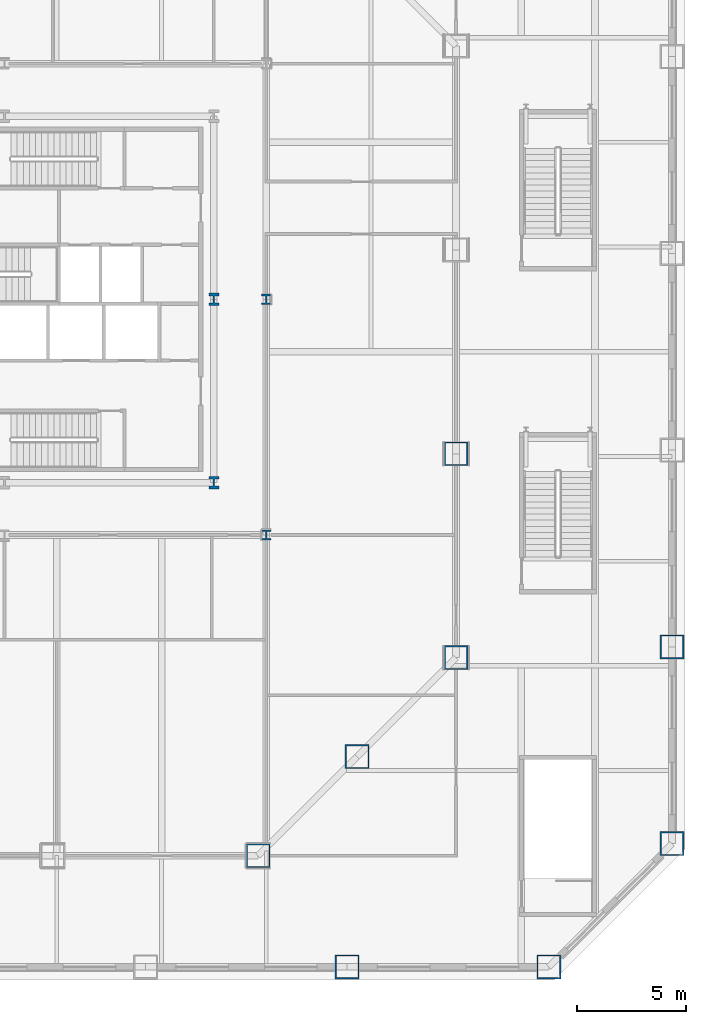
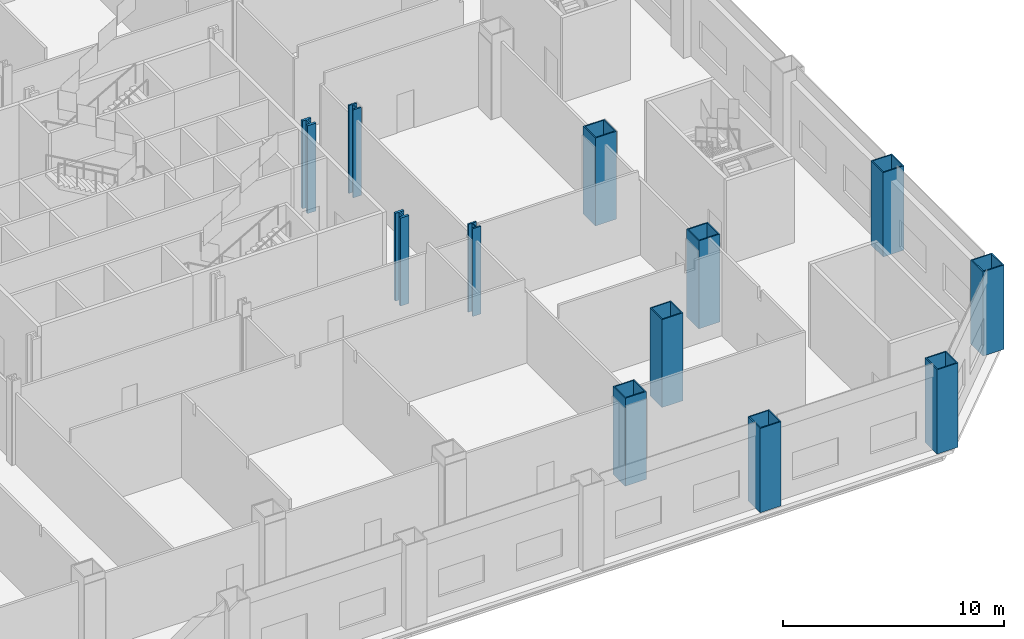
# One storey, part 3 of 22: 12 columns.
"""IFC4 building model written with IfcOpenShell, lengths in metres."""

from ifc_helpers import new_model, si_unit, direction, frame, origin, origin_2d, place, context, subcontext, project, spatial, hollow_rectangle, i_section, extrude, material, material_profile, profile_set, type_object, element, save


model = new_model("IFC4")

# Units and contexts
model_context = context("Model", 3, precision=1e-05, world=origin(), true_north=direction((0.0, 1.0)))
body_context = subcontext(model_context, "Body", "Model", "MODEL_VIEW")
ifc_project = project(units=[si_unit("LENGTHUNIT", "METRE"), si_unit("AREAUNIT", "SQUARE_METRE"), si_unit("VOLUMEUNIT", "CUBIC_METRE"), si_unit("PLANEANGLEUNIT", "RADIAN"), si_unit("MASSUNIT", "GRAM", prefix="KILO")], contexts=[model_context])

# Site, building, storey
site_placement = place(None, origin())
site = spatial("IfcSite", under=ifc_project, at=site_placement, CompositionType="ELEMENT")
building_placement = place(site_placement, origin())
building = spatial("IfcBuilding", under=site, at=building_placement, Name="Cairn Pilgrim Tower", CompositionType="ELEMENT")
storey_placement = place(building_placement, frame((0.0, 0.0, 35.39990234375)))
storey = spatial("IfcBuildingStorey", under=building, at=storey_placement, Name="L06", CompositionType="ELEMENT", Elevation=35.39990234375)

# Columns
ifc_material = material(Name="Structural steel S460M", Category="steel")
ifc_material_profile_1 = material_profile(ifc_material, hollow_rectangle(XDim=1.10009765625, YDim=1.10009765625, WallThickness=0.06005859375, at=origin_2d()), Name="BOX 1100x1100x60")
ifc_profile_set_1 = profile_set([ifc_material_profile_1], Name="Structural steel S460M")
column_type_1 = type_object("IfcColumnType", Name="BOX 1100x1100x60", PredefinedType="COLUMN", material=ifc_profile_set_1)
for number, where, z_axis, x_axis, name in (
    (1, (18.8271484375, -23.10009765625, -0.199951171875), (0.0, 0.0, 1.0), (1.0, 0.0, 0.0), "PC1-SE1"),
    (2, (23.363525390625, -18.563720703125, -0.199951171875), (0.0, 0.0, 1.0), (1.0, 0.0, 0.0), "PC1-SE2"),
    (3, (27.89990234375, -14.027099609375, -0.199951171875), (0.0, 0.0, 1.0), (1.0, 0.0, 0.0), "PC1-E1"),
    (4, (27.89990234375, -4.67578125, -0.199951171875), (0.0, 0.0, 1.0), (1.0, 0.0, 0.0), "PC1-E2"),
):
    element("IfcColumn", number, at=place(storey_placement, frame(where, z_axis=z_axis, x_axis=x_axis)), inside=storey, type_object=column_type_1, Name=name, PredefinedType="COLUMN", context=body_context, shape_type="SweptSolid", body=[
        extrude(hollow_rectangle(XDim=1.10009765625, YDim=1.10009765625, WallThickness=0.06005859375, at=origin_2d()), origin(), (0.0, 0.0, 1.0), 4.85009765625),
    ])
ifc_material_profile_2 = material_profile(ifc_material, i_section(OverallWidth=0.4541015625, OverallDepth=0.569091796875, WebThickness=0.077880859375, FlangeThickness=0.125, FilletRadius=0.014892578125, at=origin_2d()), Name="HD 400x1086")
ifc_profile_set_2 = profile_set([ifc_material_profile_2], Name="Structural steel S460M")
column_type_2 = type_object("IfcColumnType", Name="HD 400x1086", PredefinedType="COLUMN", material=ifc_profile_set_2)
for number, where, z_axis, x_axis, name in (
    (5, (16.800048828125, -6.0, -0.199951171875), (0.0, 0.0, 1.0), (1.0, 0.0, 0.0), "KC-3"),
    (6, (16.800048828125, 2.39990234375, -0.199951171875), (0.0, 0.0, 1.0), (1.0, 0.0, 0.0), "KC-5"),
):
    element("IfcColumn", number, at=place(storey_placement, frame(where, z_axis=z_axis, x_axis=x_axis)), inside=storey, type_object=column_type_2, Name=name, PredefinedType="COLUMN", context=body_context, shape_type="SweptSolid", body=[
        extrude(i_section(OverallWidth=0.4541015625, OverallDepth=0.569091796875, WebThickness=0.077880859375, FlangeThickness=0.125, FilletRadius=0.014892578125, at=origin_2d()), origin(), (0.0, 0.0, 1.0), 4.85009765625),
    ])
ifc_material_profile_3 = material_profile(ifc_material, i_section(OverallWidth=0.424072265625, OverallDepth=0.47412109375, WebThickness=0.047607421875, FlangeThickness=0.0771484375, FilletRadius=0.014892578125, at=origin_2d()), Name="HD 400x634")
ifc_profile_set_3 = profile_set([ifc_material_profile_3], Name="Structural steel S460M")
column_type_3 = type_object("IfcColumnType", Name="HD 400x634", PredefinedType="COLUMN", material=ifc_profile_set_3)
for number, where, z_axis, x_axis, name in (
    (7, (19.199951171875, -8.39990234375, -0.199951171875), (0.0, 0.0, 1.0), (1.0, 0.0, 0.0), "IC-3"),
    (8, (19.199951171875, 2.39990234375, -0.199951171875), (0.0, 0.0, 1.0), (1.0, 0.0, 0.0), "IC-5"),
):
    element("IfcColumn", number, at=place(storey_placement, frame(where, z_axis=z_axis, x_axis=x_axis)), inside=storey, type_object=column_type_3, Name=name, PredefinedType="COLUMN", context=body_context, shape_type="SweptSolid", body=[
        extrude(i_section(OverallWidth=0.424072265625, OverallDepth=0.47412109375, WebThickness=0.047607421875, FlangeThickness=0.0771484375, FilletRadius=0.014892578125, at=origin_2d()), origin(), (0.0, 0.0, 1.0), 4.85009765625),
    ])
ifc_material_profile_4 = material_profile(ifc_material, hollow_rectangle(XDim=1.10009765625, YDim=1.10009765625, WallThickness=0.06005859375, at=origin_2d()), Name="BOX 1100x1100x60")
ifc_profile_set_4 = profile_set([ifc_material_profile_4], Name="Structural steel S460M")
column_type_4 = type_object("IfcColumnType", Name="PILOTIS CFT 1100", PredefinedType="COLUMN", material=ifc_profile_set_4)
for number, where, z_axis, x_axis, name in (
    (9, (22.91357421875, -28.199951171875, 0.0), (0.0, 0.0, 1.0), (1.0, 0.0, 0.0), "PILOTIS PL-S8"),
    (10, (32.151611328125, -28.199951171875, 0.0), (0.0, 0.0, 1.0), (1.0, 0.0, 0.0), "PILOTIS PL-SE1"),
    (11, (37.800048828125, -22.551513671875, 0.0), (0.0, 0.0, 1.0), (1.0, 0.0, 0.0), "PILOTIS PL-E1"),
    (12, (37.800048828125, -13.531005859375, 0.0), (0.0, 0.0, 1.0), (1.0, 0.0, 0.0), "PILOTIS PL-E2"),
):
    element("IfcColumn", number, at=place(storey_placement, frame(where, z_axis=z_axis, x_axis=x_axis)), inside=storey, type_object=column_type_4, Name=name, PredefinedType="COLUMN", context=body_context, shape_type="SweptSolid", body=[
        extrude(hollow_rectangle(XDim=1.10009765625, YDim=1.10009765625, WallThickness=0.06005859375, at=origin_2d()), origin(), (0.0, 0.0, 1.0), 4.650146484375),
    ])

save(model, "model.ifc")
